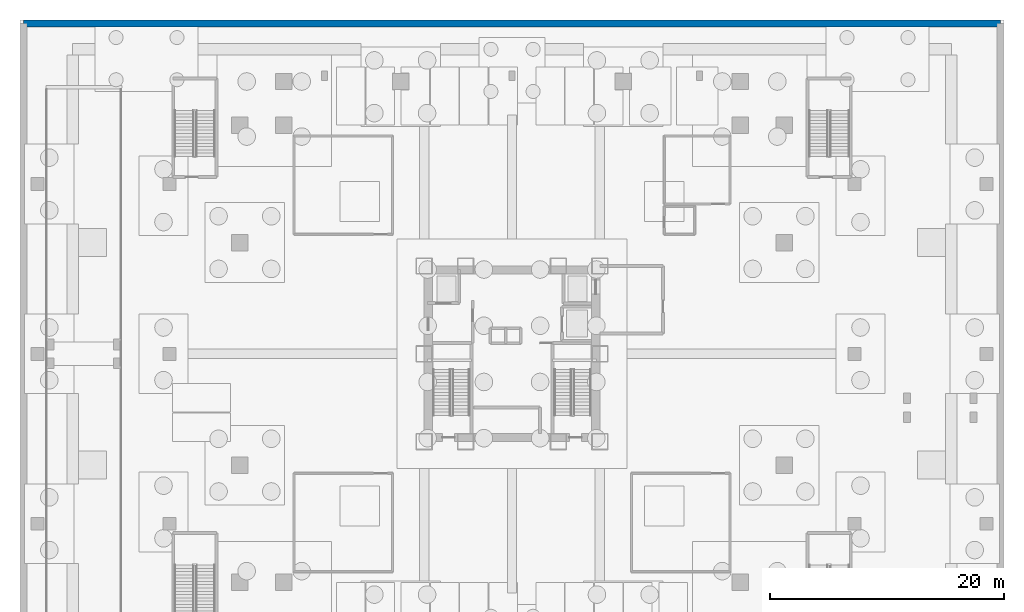
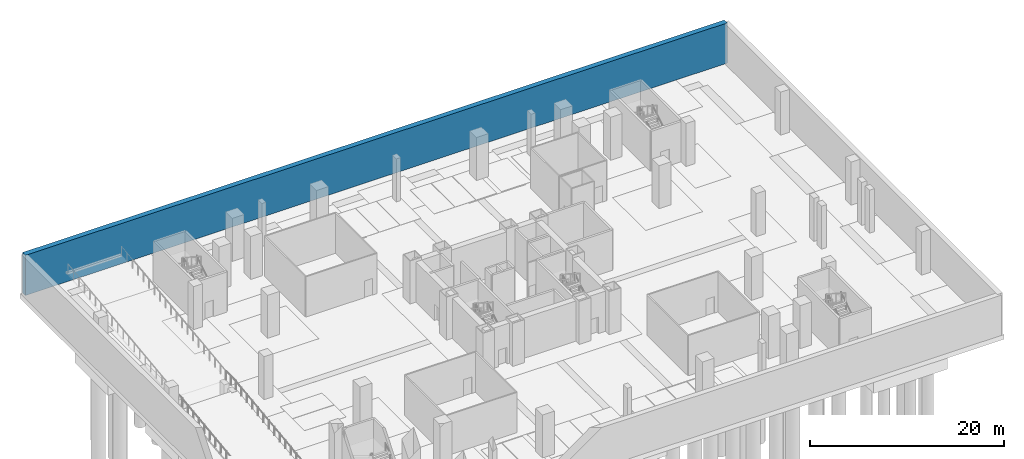
# One storey, part 6 of 16: 1 wall.
"""IFC4 building model written with IfcOpenShell, lengths in metres."""

from ifc_helpers import new_model, si_unit, direction, frame, frame_2d, origin, place, context, subcontext, project, spatial, rectangle, extrude, material, layer, layer_set, type_object, element, save


model = new_model("IFC4")

# Units and contexts
model_context = context("Model", 3, precision=1e-05, world=origin(), true_north=direction((0.0, 1.0)))
body_context = subcontext(model_context, "Body", "Model", "MODEL_VIEW")
ifc_project = project(units=[si_unit("LENGTHUNIT", "METRE"), si_unit("AREAUNIT", "SQUARE_METRE"), si_unit("VOLUMEUNIT", "CUBIC_METRE"), si_unit("PLANEANGLEUNIT", "RADIAN"), si_unit("MASSUNIT", "GRAM", prefix="KILO")], contexts=[model_context])

# Site, building, storey
site_placement = place(None, origin())
site = spatial("IfcSite", under=ifc_project, at=site_placement, CompositionType="ELEMENT")
building_placement = place(site_placement, origin())
building = spatial("IfcBuilding", under=site, at=building_placement, Name="Trevonay Congress Spire", CompositionType="ELEMENT")
storey_placement = place(building_placement, frame((0.0, 0.0, -10.800048828125)))
storey = spatial("IfcBuildingStorey", under=building, at=storey_placement, Name="B2", CompositionType="ELEMENT", Elevation=-10.800048828125)

# Wall
ifc_material = material(Name="Concrete C50/60", Category="concrete")
ifc_layer = layer(ifc_material, 0.60009765625, Name="Concrete C50/60")
ifc_layer_set = layer_set([ifc_layer], Name="Concrete C50/60")
wall_type = type_object("IfcWallType", Name="WAL-RETAIN-600", PredefinedType="USERDEFINED", material=ifc_layer_set)
wall_placement = place(storey_placement, frame((41.699951171875, 28.199951171875, 0.0), z_axis=(0.0, 0.0, 1.0), x_axis=(-1.0, 0.0, 0.0)))
element("IfcWall", 1, at=wall_placement, inside=storey, type_object=wall_type, Name="B2 N perimeter concrete diaphragm retaining wall", ObjectType="RETAININGWALL", PredefinedType="USERDEFINED", context=body_context, shape_type="SweptSolid", body=[
    extrude(rectangle(XDim=83.39990234375, YDim=0.60009765625, at=frame_2d((41.699951171875, 0.0))), origin(), (0.0, 0.0, 1.0), 5.050048828125),
])

save(model, "model.ifc")
